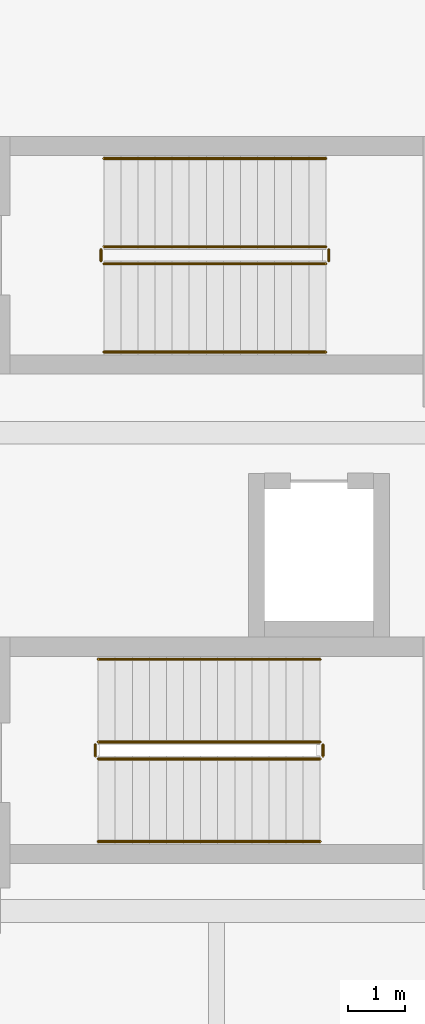
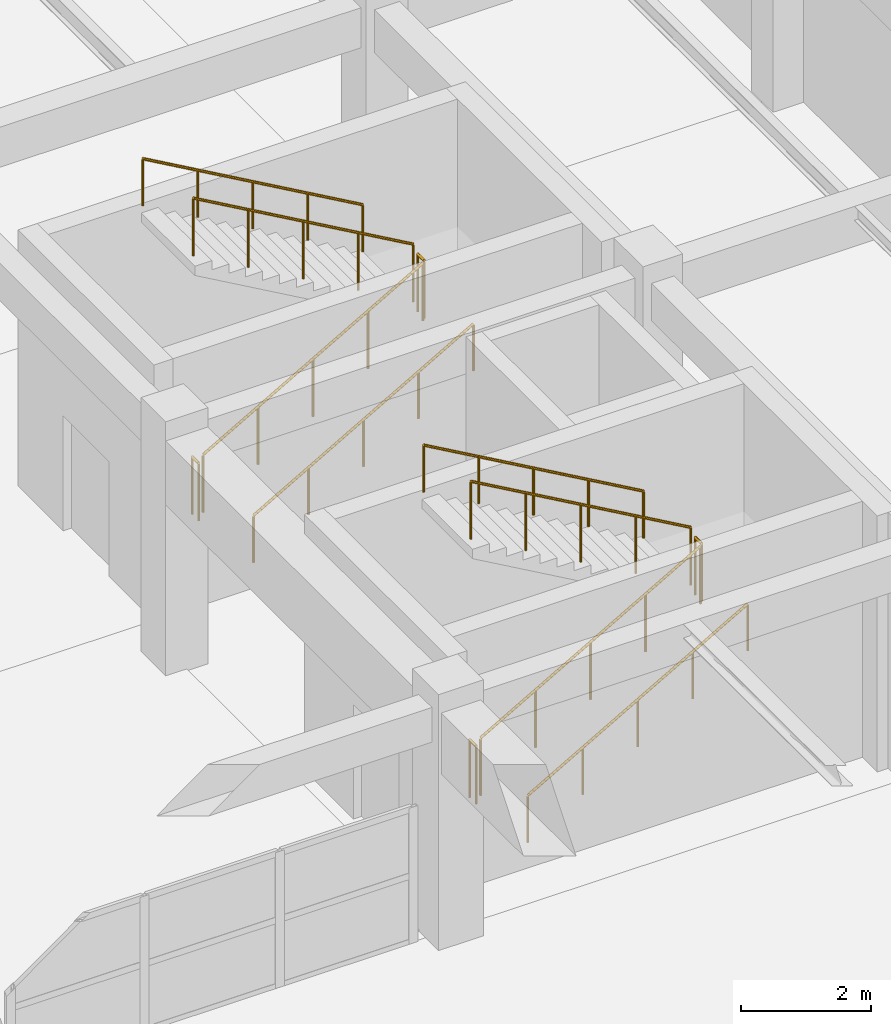
# One storey, part 64 of 72: 12 railings.
"""IFC4 building model written with IfcOpenShell, lengths in metres."""

from ifc_helpers import new_model, si_unit, direction, frame, origin, origin_2d, place, context, subcontext, project, spatial, circle, extrude, material, type_object, element, save


model = new_model("IFC4")

# Units and contexts
model_context = context("Model", 3, precision=1e-05, world=origin(), true_north=direction((0.0, 1.0)))
body_context = subcontext(model_context, "Body", "Model", "MODEL_VIEW")
ifc_project = project(units=[si_unit("LENGTHUNIT", "METRE"), si_unit("AREAUNIT", "SQUARE_METRE"), si_unit("VOLUMEUNIT", "CUBIC_METRE"), si_unit("PLANEANGLEUNIT", "RADIAN"), si_unit("MASSUNIT", "GRAM", prefix="KILO")], contexts=[model_context])

# Site, building, storey
site_placement = place(None, origin())
site = spatial("IfcSite", under=ifc_project, at=site_placement, CompositionType="ELEMENT")
building_placement = place(site_placement, origin())
building = spatial("IfcBuilding", under=site, at=building_placement, Name="Korsvaeld Concert Hall", CompositionType="ELEMENT")
storey_placement = place(building_placement, origin())
storey = spatial("IfcBuildingStorey", under=building, at=storey_placement, Name="L00", CompositionType="ELEMENT", Elevation=0.0)

# Railings
ifc_material_1 = material(Name="Powder-coated steel and bronze stair guardrail", Category="steel")
railing_type_1 = type_object("IfcRailingType", Name="RL-STAIR-GUARD-120", PredefinedType="GUARDRAIL", material=ifc_material_1)
railing_1_placement = place(storey_placement, frame((111.320068359375, 45.8701171875, 0.17138671875)))
element("IfcRailing", 1, at=railing_1_placement, inside=storey, type_object=railing_type_1, Name="L00 ST-K4 stair guard 1", PredefinedType="GUARDRAIL", context=body_context, shape_type="SweptSolid", body=[
    extrude(circle(Radius=0.02392578125, at=origin_2d()), frame((0.0, 0.0, 1.076171875), z_axis=(0.868243142124, 0.0, 0.496138938357), x_axis=(0.0, 1.0, 0.0)), (0.0, 0.0, 1.0), 4.49169921875),
    extrude(circle(Radius=0.02099609375, at=origin_2d()), origin(), (0.0, 0.0, 1.0), 1.052001953125),
    extrude(circle(Radius=0.02099609375, at=origin_2d()), frame((0.97509765625, 0.0, 0.55712890625)), (0.0, 0.0, 1.0), 1.052001953125),
    extrude(circle(Radius=0.02099609375, at=origin_2d()), frame((1.949951171875, 0.0, 1.1142578125)), (0.0, 0.0, 1.0), 1.052001953125),
    extrude(circle(Radius=0.02099609375, at=origin_2d()), frame((2.9248046875, 0.0, 1.67138671875)), (0.0, 0.0, 1.0), 1.052001953125),
    extrude(circle(Radius=0.02099609375, at=origin_2d()), frame((3.89990234375, 0.0, 2.228515625)), (0.0, 0.0, 1.0), 1.052001953125),
])
railing_2_placement = place(storey_placement, frame((115.27001953125, 45.919921875, 2.39990234375)))
element("IfcRailing", 2, at=railing_2_placement, inside=storey, type_object=railing_type_1, Name="L00 ST-K4 stair guard 2", PredefinedType="GUARDRAIL", context=body_context, shape_type="SweptSolid", body=[
    extrude(circle(Radius=0.02392578125, at=origin_2d()), frame((0.0, 0.0, 1.076171875), z_axis=(0.0, 1.0, 0.0), x_axis=(-1.0, 0.0, 0.0)), (0.0, 0.0, 1.0), 0.2001953125),
    extrude(circle(Radius=0.02099609375, at=origin_2d()), origin(), (0.0, 0.0, 1.0), 1.052001953125),
    extrude(circle(Radius=0.02099609375, at=origin_2d()), frame((0.0, 0.2001953125, 0.0)), (0.0, 0.0, 1.0), 1.052001953125),
])
railing_3_placement = place(storey_placement, frame((115.219970703125, 46.169921875, 2.571533203125)))
element("IfcRailing", 3, at=railing_3_placement, inside=storey, type_object=railing_type_1, Name="L00 ST-K4 stair guard 3", PredefinedType="GUARDRAIL", context=body_context, shape_type="SweptSolid", body=[
    extrude(circle(Radius=0.02392578125, at=origin_2d()), frame((0.0, 0.0, 1.076171875), z_axis=(-0.868243142124, 0.0, 0.496138938357), x_axis=(0.0, -1.0, 0.0)), (0.0, 0.0, 1.0), 4.49169921875),
    extrude(circle(Radius=0.02099609375, at=origin_2d()), origin(), (0.0, 0.0, 1.0), 1.052001953125),
    extrude(circle(Radius=0.02099609375, at=origin_2d()), frame((-0.97509765625, 0.0, 0.55712890625)), (0.0, 0.0, 1.0), 1.052001953125),
    extrude(circle(Radius=0.02099609375, at=origin_2d()), frame((-1.949951171875, 0.0, 1.1142578125)), (0.0, 0.0, 1.0), 1.052001953125),
    extrude(circle(Radius=0.02099609375, at=origin_2d()), frame((-2.9248046875, 0.0, 1.67138671875)), (0.0, 0.0, 1.0), 1.052001953125),
    extrude(circle(Radius=0.02099609375, at=origin_2d()), frame((-3.89990234375, 0.0, 2.228515625)), (0.0, 0.0, 1.0), 1.052001953125),
])
railing_4_placement = place(storey_placement, frame((111.27001953125, 45.919921875, 0.0)))
element("IfcRailing", 4, at=railing_4_placement, inside=storey, type_object=railing_type_1, Name="L00 ST-K4 stair guard 4", PredefinedType="GUARDRAIL", context=body_context, shape_type="SweptSolid", body=[
    extrude(circle(Radius=0.02392578125, at=origin_2d()), frame((0.0, 0.0, 1.076171875), z_axis=(0.0, 1.0, 0.0), x_axis=(-1.0, 0.0, 0.0)), (0.0, 0.0, 1.0), 0.2001953125),
    extrude(circle(Radius=0.02099609375, at=origin_2d()), origin(), (0.0, 0.0, 1.0), 1.052001953125),
    extrude(circle(Radius=0.02099609375, at=origin_2d()), frame((0.0, 0.2001953125, 0.0)), (0.0, 0.0, 1.0), 1.052001953125),
])
railing_5_placement = place(storey_placement, frame((111.419921875, 54.570068359375, 0.17138671875)))
element("IfcRailing", 5, at=railing_5_placement, inside=storey, type_object=railing_type_1, Name="L00 ST-F2 stair guard 1", PredefinedType="GUARDRAIL", context=body_context, shape_type="SweptSolid", body=[
    extrude(circle(Radius=0.02392578125, at=origin_2d()), frame((0.0, 0.0, 1.076171875), z_axis=(0.868256520506, 0.0, 0.496115525457), x_axis=(0.0, 1.0, 0.0)), (0.0, 0.0, 1.0), 4.491943359375),
    extrude(circle(Radius=0.02099609375, at=origin_2d()), origin(), (0.0, 0.0, 1.0), 1.052001953125),
    extrude(circle(Radius=0.02099609375, at=origin_2d()), frame((0.97509765625, 0.0, 0.55712890625)), (0.0, 0.0, 1.0), 1.052001953125),
    extrude(circle(Radius=0.02099609375, at=origin_2d()), frame((1.9501953125, 0.0, 1.1142578125)), (0.0, 0.0, 1.0), 1.052001953125),
    extrude(circle(Radius=0.02099609375, at=origin_2d()), frame((2.925048828125, 0.0, 1.67138671875)), (0.0, 0.0, 1.0), 1.052001953125),
    extrude(circle(Radius=0.02099609375, at=origin_2d()), frame((3.900146484375, 0.0, 2.228515625)), (0.0, 0.0, 1.0), 1.052001953125),
])
railing_6_placement = place(storey_placement, frame((115.3701171875, 54.6201171875, 2.39990234375)))
element("IfcRailing", 6, at=railing_6_placement, inside=storey, type_object=railing_type_1, Name="L00 ST-F2 stair guard 2", PredefinedType="GUARDRAIL", context=body_context, shape_type="SweptSolid", body=[
    extrude(circle(Radius=0.02392578125, at=origin_2d()), frame((0.0, 0.0, 1.076171875), z_axis=(0.0, 1.0, 0.0), x_axis=(-1.0, 0.0, 0.0)), (0.0, 0.0, 1.0), 0.199951171875),
    extrude(circle(Radius=0.02099609375, at=origin_2d()), origin(), (0.0, 0.0, 1.0), 1.052001953125),
    extrude(circle(Radius=0.02099609375, at=origin_2d()), frame((0.0, 0.199951171875, 0.0)), (0.0, 0.0, 1.0), 1.052001953125),
])
railing_7_placement = place(storey_placement, frame((115.320068359375, 54.8701171875, 2.571533203125)))
element("IfcRailing", 7, at=railing_7_placement, inside=storey, type_object=railing_type_1, Name="L00 ST-F2 stair guard 3", PredefinedType="GUARDRAIL", context=body_context, shape_type="SweptSolid", body=[
    extrude(circle(Radius=0.02392578125, at=origin_2d()), frame((0.0, 0.0, 1.076171875), z_axis=(-0.868256520506, 0.0, 0.496115525457), x_axis=(0.0, -1.0, 0.0)), (0.0, 0.0, 1.0), 4.491943359375),
    extrude(circle(Radius=0.02099609375, at=origin_2d()), origin(), (0.0, 0.0, 1.0), 1.052001953125),
    extrude(circle(Radius=0.02099609375, at=origin_2d()), frame((-0.97509765625, 0.0, 0.55712890625)), (0.0, 0.0, 1.0), 1.052001953125),
    extrude(circle(Radius=0.02099609375, at=origin_2d()), frame((-1.9501953125, 0.0, 1.1142578125)), (0.0, 0.0, 1.0), 1.052001953125),
    extrude(circle(Radius=0.02099609375, at=origin_2d()), frame((-2.925048828125, 0.0, 1.67138671875)), (0.0, 0.0, 1.0), 1.052001953125),
    extrude(circle(Radius=0.02099609375, at=origin_2d()), frame((-3.900146484375, 0.0, 2.228515625)), (0.0, 0.0, 1.0), 1.052001953125),
])
railing_8_placement = place(storey_placement, frame((111.3701171875, 54.6201171875, 0.0)))
element("IfcRailing", 8, at=railing_8_placement, inside=storey, type_object=railing_type_1, Name="L00 ST-F2 stair guard 4", PredefinedType="GUARDRAIL", context=body_context, shape_type="SweptSolid", body=[
    extrude(circle(Radius=0.02392578125, at=origin_2d()), frame((0.0, 0.0, 1.076171875), z_axis=(0.0, 1.0, 0.0), x_axis=(-1.0, 0.0, 0.0)), (0.0, 0.0, 1.0), 0.199951171875),
    extrude(circle(Radius=0.02099609375, at=origin_2d()), origin(), (0.0, 0.0, 1.0), 1.052001953125),
    extrude(circle(Radius=0.02099609375, at=origin_2d()), frame((0.0, 0.199951171875, 0.0)), (0.0, 0.0, 1.0), 1.052001953125),
])
ifc_material_2 = material(Name="European oak and bronze stair handrail")
railing_type_2 = type_object("IfcRailingType", Name="RL-STAIR-HAND-90", PredefinedType="HANDRAIL", material=ifc_material_2)
railing_9_placement = place(storey_placement, frame((111.320068359375, 44.419921875, 0.17138671875)))
element("IfcRailing", 9, at=railing_9_placement, inside=storey, type_object=railing_type_2, Name="L00 ST-K4 stair handrail 1", PredefinedType="HANDRAIL", context=body_context, shape_type="SweptSolid", body=[
    extrude(circle(Radius=0.02392578125, at=origin_2d()), frame((0.0, 0.0, 0.8759765625), z_axis=(0.868243142124, 0.0, 0.496138938357), x_axis=(0.0, 1.0, 0.0)), (0.0, 0.0, 1.0), 4.49169921875),
    extrude(circle(Radius=0.02099609375, at=origin_2d()), origin(), (0.0, 0.0, 1.0), 0.851806640625),
    extrude(circle(Radius=0.02099609375, at=origin_2d()), frame((0.97509765625, 0.0, 0.55712890625)), (0.0, 0.0, 1.0), 0.851806640625),
    extrude(circle(Radius=0.02099609375, at=origin_2d()), frame((1.949951171875, 0.0, 1.1142578125)), (0.0, 0.0, 1.0), 0.851806640625),
    extrude(circle(Radius=0.02099609375, at=origin_2d()), frame((2.9248046875, 0.0, 1.67138671875)), (0.0, 0.0, 1.0), 0.851806640625),
    extrude(circle(Radius=0.02099609375, at=origin_2d()), frame((3.89990234375, 0.0, 2.228515625)), (0.0, 0.0, 1.0), 0.851806640625),
])
railing_10_placement = place(storey_placement, frame((115.219970703125, 47.6201171875, 2.571533203125)))
element("IfcRailing", 10, at=railing_10_placement, inside=storey, type_object=railing_type_2, Name="L00 ST-K4 stair handrail 2", PredefinedType="HANDRAIL", context=body_context, shape_type="SweptSolid", body=[
    extrude(circle(Radius=0.02392578125, at=origin_2d()), frame((0.0, 0.0, 0.8759765625), z_axis=(-0.868243142124, 0.0, 0.496138938357), x_axis=(0.0, -1.0, 0.0)), (0.0, 0.0, 1.0), 4.49169921875),
    extrude(circle(Radius=0.02099609375, at=origin_2d()), origin(), (0.0, 0.0, 1.0), 0.851806640625),
    extrude(circle(Radius=0.02099609375, at=origin_2d()), frame((-0.97509765625, 0.0, 0.55712890625)), (0.0, 0.0, 1.0), 0.851806640625),
    extrude(circle(Radius=0.02099609375, at=origin_2d()), frame((-1.949951171875, 0.0, 1.1142578125)), (0.0, 0.0, 1.0), 0.851806640625),
    extrude(circle(Radius=0.02099609375, at=origin_2d()), frame((-2.9248046875, 0.0, 1.67138671875)), (0.0, 0.0, 1.0), 0.851806640625),
    extrude(circle(Radius=0.02099609375, at=origin_2d()), frame((-3.89990234375, 0.0, 2.228515625)), (0.0, 0.0, 1.0), 0.851806640625),
])
railing_11_placement = place(storey_placement, frame((111.419921875, 53.02001953125, 0.17138671875)))
element("IfcRailing", 11, at=railing_11_placement, inside=storey, type_object=railing_type_2, Name="L00 ST-F2 stair handrail 1", PredefinedType="HANDRAIL", context=body_context, shape_type="SweptSolid", body=[
    extrude(circle(Radius=0.02392578125, at=origin_2d()), frame((0.0, 0.0, 0.8759765625), z_axis=(0.868256520506, 0.0, 0.496115525457), x_axis=(0.0, 1.0, 0.0)), (0.0, 0.0, 1.0), 4.491943359375),
    extrude(circle(Radius=0.02099609375, at=origin_2d()), origin(), (0.0, 0.0, 1.0), 0.851806640625),
    extrude(circle(Radius=0.02099609375, at=origin_2d()), frame((0.97509765625, 0.0, 0.55712890625)), (0.0, 0.0, 1.0), 0.851806640625),
    extrude(circle(Radius=0.02099609375, at=origin_2d()), frame((1.9501953125, 0.0, 1.1142578125)), (0.0, 0.0, 1.0), 0.851806640625),
    extrude(circle(Radius=0.02099609375, at=origin_2d()), frame((2.925048828125, 0.0, 1.67138671875)), (0.0, 0.0, 1.0), 0.851806640625),
    extrude(circle(Radius=0.02099609375, at=origin_2d()), frame((3.900146484375, 0.0, 2.228515625)), (0.0, 0.0, 1.0), 0.851806640625),
])
railing_12_placement = place(storey_placement, frame((115.320068359375, 56.419921875, 2.571533203125)))
element("IfcRailing", 12, at=railing_12_placement, inside=storey, type_object=railing_type_2, Name="L00 ST-F2 stair handrail 2", PredefinedType="HANDRAIL", context=body_context, shape_type="SweptSolid", body=[
    extrude(circle(Radius=0.02392578125, at=origin_2d()), frame((0.0, 0.0, 0.8759765625), z_axis=(-0.868256520506, 0.0, 0.496115525457), x_axis=(0.0, -1.0, 0.0)), (0.0, 0.0, 1.0), 4.491943359375),
    extrude(circle(Radius=0.02099609375, at=origin_2d()), origin(), (0.0, 0.0, 1.0), 0.851806640625),
    extrude(circle(Radius=0.02099609375, at=origin_2d()), frame((-0.97509765625, 0.0, 0.55712890625)), (0.0, 0.0, 1.0), 0.851806640625),
    extrude(circle(Radius=0.02099609375, at=origin_2d()), frame((-1.9501953125, 0.0, 1.1142578125)), (0.0, 0.0, 1.0), 0.851806640625),
    extrude(circle(Radius=0.02099609375, at=origin_2d()), frame((-2.925048828125, 0.0, 1.67138671875)), (0.0, 0.0, 1.0), 0.851806640625),
    extrude(circle(Radius=0.02099609375, at=origin_2d()), frame((-3.900146484375, 0.0, 2.228515625)), (0.0, 0.0, 1.0), 0.851806640625),
])

save(model, "model.ifc")
